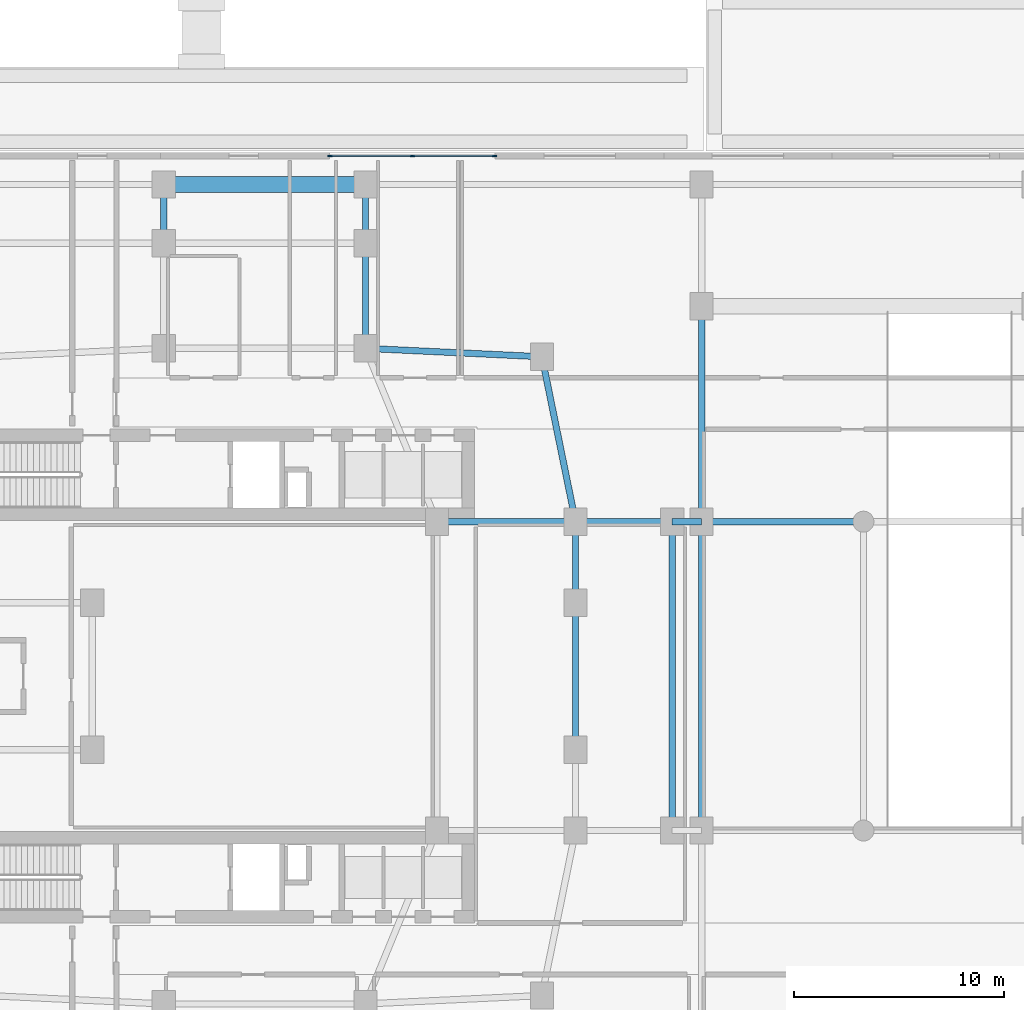
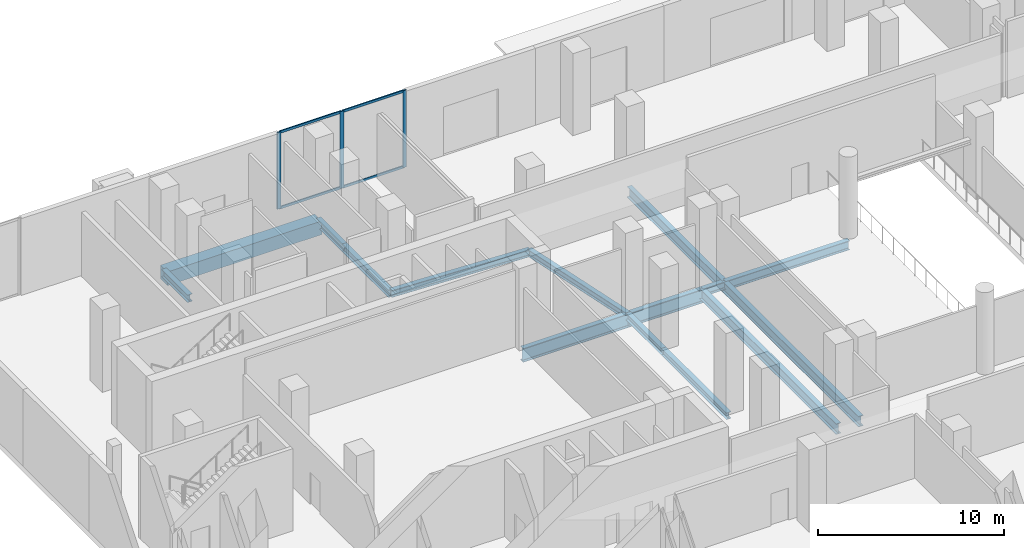
# One storey, part 5 of 24: 15 beams, 7 members, 1 element without a shape of its own.
"""IFC4 building model written with IfcOpenShell, lengths in metres."""

from ifc_helpers import new_model, si_unit, derived_unit, direction, frame, origin, origin_2d, place, context, subcontext, project, spatial, rectangle, i_section, extrude, material, layer, layer_set, material_profile, profile_set, type_object, element, aggregate, save


model = new_model("IFC4")

# Units and contexts
model_context = context("Model", 3, precision=1e-05, world=origin(), true_north=direction((0.0, 1.0)))
body_context = subcontext(model_context, "Body", "Model", "MODEL_VIEW")
ifc_project = project(units=[si_unit("LENGTHUNIT", "METRE"), si_unit("AREAUNIT", "SQUARE_METRE"), si_unit("VOLUMEUNIT", "CUBIC_METRE"), si_unit("PLANEANGLEUNIT", "RADIAN"), si_unit("MASSUNIT", "GRAM", prefix="KILO"), derived_unit("THERMALTRANSMITTANCEUNIT", [(si_unit("POWERUNIT", "WATT"), 1), (si_unit("LENGTHUNIT", "METRE"), -2), (si_unit("THERMODYNAMICTEMPERATUREUNIT", "KELVIN"), -1)])], contexts=[model_context])

# Site, building, storey
site_placement = place(None, origin())
site = spatial("IfcSite", under=ifc_project, at=site_placement, CompositionType="ELEMENT")
building_placement = place(site_placement, origin())
building = spatial("IfcBuilding", under=site, at=building_placement, Name="Kivonza Crest Hotel", CompositionType="ELEMENT")
storey_placement = place(building_placement, origin())
storey = spatial("IfcBuildingStorey", under=building, at=storey_placement, Name="L00", CompositionType="ELEMENT", Elevation=0.0)

# Beams
ifc_material_1 = material(Name="Steel S355", Category="steel")
ifc_material_profile_1 = material_profile(ifc_material_1, i_section(OverallWidth=0.300048828125, OverallDepth=0.449951171875, WebThickness=0.013916015625, FlangeThickness=0.02587890625, FilletRadius=0.027099609375, at=origin_2d()), Name="HEB 450")
ifc_profile_set_1 = profile_set([ifc_material_profile_1], Name="Steel S355")
beam_type_1 = type_object("IfcBeamType", Name="BM-HEB450", PredefinedType="SPANDREL", material=ifc_profile_set_1)
beam_1_placement = place(storey_placement, frame((35.800048828125, 21.5, -0.574951171875), z_axis=(0.0, 1.0, 0.0), x_axis=(-1.0, 0.0, 0.0)))
element("IfcBeam", 1, at=beam_1_placement, inside=storey, type_object=beam_type_1, Name="Tower T1 L00 perimeter spandrel E1-E2", PredefinedType="SPANDREL", context=body_context, shape_type="SweptSolid", body=[
    extrude(i_section(OverallWidth=0.300048828125, OverallDepth=0.449951171875, WebThickness=0.013916015625, FlangeThickness=0.02587890625, FilletRadius=0.027099609375, at=origin_2d()), origin(), (0.0, 0.0, 1.0), 7.0),
])
beam_2_placement = place(storey_placement, frame((35.800048828125, 28.5, -0.574951171875), z_axis=(0.0, 1.0, 0.0), x_axis=(-1.0, 0.0, 0.0)))
element("IfcBeam", 2, at=beam_2_placement, inside=storey, type_object=beam_type_1, Name="Tower T1 L00 perimeter spandrel E2-PNE", PredefinedType="SPANDREL", context=body_context, shape_type="SweptSolid", body=[
    extrude(i_section(OverallWidth=0.300048828125, OverallDepth=0.449951171875, WebThickness=0.013916015625, FlangeThickness=0.02587890625, FilletRadius=0.027099609375, at=origin_2d()), origin(), (0.0, 0.0, 1.0), 3.85009765625),
])
beam_3_placement = place(storey_placement, frame((35.800048828125, 32.35009765625, -0.574951171875), z_axis=(-0.199730733965, 0.979850822273, 0.0), x_axis=(-0.979850822273, -0.199730733965, 0.0)))
element("IfcBeam", 3, at=beam_3_placement, inside=storey, type_object=beam_type_1, Name="Tower T1 L00 perimeter spandrel PNE-NE", PredefinedType="SPANDREL", context=body_context, shape_type="SweptSolid", body=[
    extrude(i_section(OverallWidth=0.300048828125, OverallDepth=0.449951171875, WebThickness=0.013916015625, FlangeThickness=0.02587890625, FilletRadius=0.027099609375, at=origin_2d()), origin(), (0.0, 0.0, 1.0), 8.01123046875),
])
beam_4_placement = place(storey_placement, frame((34.199951171875, 40.199951171875, -0.574951171875), z_axis=(-0.998867283688, 0.047583080799, 0.0), x_axis=(-0.047583080799, -0.998867283688, 0.0)))
element("IfcBeam", 4, at=beam_4_placement, inside=storey, type_object=beam_type_1, Name="Tower T1 L00 perimeter spandrel NE-N2", PredefinedType="SPANDREL", context=body_context, shape_type="SweptSolid", body=[
    extrude(i_section(OverallWidth=0.300048828125, OverallDepth=0.449951171875, WebThickness=0.013916015625, FlangeThickness=0.02587890625, FilletRadius=0.027099609375, at=origin_2d()), origin(), (0.0, 0.0, 1.0), 8.409423828125),
])
ifc_material_profile_2 = material_profile(ifc_material_1, i_section(OverallWidth=0.300048828125, OverallDepth=0.5, WebThickness=0.014404296875, FlangeThickness=0.028076171875, FilletRadius=0.027099609375, at=origin_2d()), Name="HEB 500")
ifc_profile_set_2 = profile_set([ifc_material_profile_2], Name="Steel S355")
beam_type_2 = type_object("IfcBeamType", Name="BM-HEB500", PredefinedType="BEAM", material=ifc_profile_set_2)
beam_5_placement = place(storey_placement, frame((40.39990234375, 32.35009765625, -0.60009765625), z_axis=(1.0, 0.0, 0.0), x_axis=(0.0, 1.0, 0.0)))
element("IfcBeam", 5, at=beam_5_placement, inside=storey, type_object=beam_type_2, Name="L00 podium girder X 32", PredefinedType="BEAM", context=body_context, shape_type="SweptSolid", body=[
    extrude(i_section(OverallWidth=0.300048828125, OverallDepth=0.5, WebThickness=0.014404296875, FlangeThickness=0.028076171875, FilletRadius=0.027099609375, at=origin_2d()), origin(), (0.0, 0.0, 1.0), 1.400146484375),
])
beam_6_placement = place(storey_placement, frame((16.199951171875, 45.60009765625, -0.60009765625), z_axis=(0.0, 1.0, 0.0), x_axis=(-1.0, 0.0, 0.0)))
element("IfcBeam", 6, at=beam_6_placement, inside=storey, type_object=beam_type_2, Name="L00 podium girder Y 60", PredefinedType="BEAM", context=body_context, shape_type="SweptSolid", body=[
    extrude(i_section(OverallWidth=0.300048828125, OverallDepth=0.5, WebThickness=0.014404296875, FlangeThickness=0.028076171875, FilletRadius=0.027099609375, at=origin_2d()), origin(), (0.0, 0.0, 1.0), 2.7998046875),
])
beam_7_placement = place(storey_placement, frame((25.800048828125, 40.60009765625, -0.60009765625), z_axis=(0.0, 1.0, 0.0), x_axis=(-1.0, 0.0, 0.0)))
element("IfcBeam", 7, at=beam_7_placement, inside=storey, type_object=beam_type_2, Name="L00 podium girder Y 63", PredefinedType="BEAM", context=body_context, shape_type="SweptSolid", body=[
    extrude(i_section(OverallWidth=0.300048828125, OverallDepth=0.5, WebThickness=0.014404296875, FlangeThickness=0.028076171875, FilletRadius=0.027099609375, at=origin_2d()), origin(), (0.0, 0.0, 1.0), 5.0),
])
beam_8_placement = place(storey_placement, frame((25.800048828125, 45.60009765625, -0.60009765625), z_axis=(0.0, 1.0, 0.0), x_axis=(-1.0, 0.0, 0.0)))
element("IfcBeam", 8, at=beam_8_placement, inside=storey, type_object=beam_type_2, Name="L00 podium girder Y 64", PredefinedType="BEAM", context=body_context, shape_type="SweptSolid", body=[
    extrude(i_section(OverallWidth=0.300048828125, OverallDepth=0.5, WebThickness=0.014404296875, FlangeThickness=0.028076171875, FilletRadius=0.027099609375, at=origin_2d()), origin(), (0.0, 0.0, 1.0), 2.7998046875),
])
ifc_material_profile_3 = material_profile(ifc_material_1, i_section(OverallWidth=0.300048828125, OverallDepth=0.60009765625, WebThickness=0.015380859375, FlangeThickness=0.030029296875, FilletRadius=0.027099609375, at=origin_2d()), Name="HEB 600")
ifc_profile_set_3 = profile_set([ifc_material_profile_3], Name="Steel S355")
beam_type_3 = type_object("IfcBeamType", Name="BM-HEB600", PredefinedType="BEAM", material=ifc_profile_set_3)
beam_9_placement = place(storey_placement, frame((41.800048828125, 32.35009765625, -0.64990234375), z_axis=(1.0, 0.0, 0.0), x_axis=(0.0, 1.0, 0.0)))
element("IfcBeam", 9, at=beam_9_placement, inside=storey, type_object=beam_type_3, Name="L00 podium girder X 33", PredefinedType="BEAM", context=body_context, shape_type="SweptSolid", body=[
    extrude(i_section(OverallWidth=0.300048828125, OverallDepth=0.60009765625, WebThickness=0.015380859375, FlangeThickness=0.030029296875, FilletRadius=0.027099609375, at=origin_2d()), origin(), (0.0, 0.0, 1.0), 7.699951171875),
])
ifc_material_profile_4 = material_profile(ifc_material_1, i_section(OverallWidth=0.300048828125, OverallDepth=0.699951171875, WebThickness=0.01708984375, FlangeThickness=0.031982421875, FilletRadius=0.027099609375, at=origin_2d()), Name="HEB 700")
ifc_profile_set_4 = profile_set([ifc_material_profile_4], Name="Steel S355")
beam_type_4 = type_object("IfcBeamType", Name="BM-HEB700", PredefinedType="BEAM", material=ifc_profile_set_4)
for number, where, z_axis, x_axis, name in (
    (10, (40.39990234375, 17.64990234375, -0.699951171875), (0.0, 1.0, 0.0), (-1.0, 0.0, 0.0), "L00 podium girder Y 69"),
    (11, (41.800048828125, 17.64990234375, -0.699951171875), (0.0, 1.0, 0.0), (-1.0, 0.0, 0.0), "L00 podium girder Y 72"),
):
    element("IfcBeam", number, at=place(storey_placement, frame(where, z_axis=z_axis, x_axis=x_axis)), inside=storey, type_object=beam_type_4, Name=name, PredefinedType="BEAM", context=body_context, shape_type="SweptSolid", body=[
        extrude(i_section(OverallWidth=0.300048828125, OverallDepth=0.699951171875, WebThickness=0.01708984375, FlangeThickness=0.031982421875, FilletRadius=0.027099609375, at=origin_2d()), origin(), (0.0, 0.0, 1.0), 14.7001953125),
    ])
beam_10_placement = place(storey_placement, frame((41.800048828125, 32.35009765625, -0.699951171875), z_axis=(0.0, 1.0, 0.0), x_axis=(-1.0, 0.0, 0.0)))
element("IfcBeam", 12, at=beam_10_placement, inside=storey, type_object=beam_type_4, Name="L00 podium girder Y 73", PredefinedType="BEAM", context=body_context, shape_type="SweptSolid", body=[
    extrude(i_section(OverallWidth=0.300048828125, OverallDepth=0.699951171875, WebThickness=0.01708984375, FlangeThickness=0.031982421875, FilletRadius=0.027099609375, at=origin_2d()), origin(), (0.0, 0.0, 1.0), 10.25),
])
ifc_material_profile_5 = material_profile(ifc_material_1, i_section(OverallWidth=0.300048828125, OverallDepth=0.89990234375, WebThickness=0.0185546875, FlangeThickness=0.034912109375, FilletRadius=0.030029296875, at=origin_2d()), Name="HEB 900")
ifc_profile_set_5 = profile_set([ifc_material_profile_5], Name="Steel S355")
beam_type_5 = type_object("IfcBeamType", Name="BM-HEB900", PredefinedType="BEAM", material=ifc_profile_set_5)
beam_11_placement = place(storey_placement, frame((29.199951171875, 32.35009765625, -0.800048828125), z_axis=(1.0, 0.0, 0.0), x_axis=(0.0, 1.0, 0.0)))
element("IfcBeam", 13, at=beam_11_placement, inside=storey, type_object=beam_type_5, Name="Tower T1 L00 primary girder TNE-PNE", PredefinedType="BEAM", context=body_context, shape_type="SweptSolid", body=[
    extrude(i_section(OverallWidth=0.300048828125, OverallDepth=0.89990234375, WebThickness=0.0185546875, FlangeThickness=0.034912109375, FilletRadius=0.030029296875, at=origin_2d()), origin(), (0.0, 0.0, 1.0), 6.60009765625),
])
beam_12_placement = place(storey_placement, frame((40.39990234375, 32.35009765625, -0.800048828125), z_axis=(-1.0, 0.0, 0.0), x_axis=(0.0, -1.0, 0.0)))
element("IfcBeam", 14, at=beam_12_placement, inside=storey, type_object=beam_type_5, Name="Tower T1 L00 outer bay girder ZE2", PredefinedType="BEAM", context=body_context, shape_type="SweptSolid", body=[
    extrude(i_section(OverallWidth=0.300048828125, OverallDepth=0.89990234375, WebThickness=0.0185546875, FlangeThickness=0.034912109375, FilletRadius=0.030029296875, at=origin_2d()), origin(), (0.0, 0.0, 1.0), 4.599853515625),
])
ifc_material_2 = material(Name="Concrete C40/50", Category="concrete")
ifc_material_profile_6 = material_profile(ifc_material_2, rectangle(XDim=0.75, YDim=0.89990234375, at=origin_2d()), Name="RC 900x750")
ifc_profile_set_6 = profile_set([ifc_material_profile_6], Name="Concrete C40/50")
beam_type_6 = type_object("IfcBeamType", Name="BM-RCT-900x750", PredefinedType="T_BEAM", material=ifc_profile_set_6)
beam_13_placement = place(storey_placement, frame((16.199951171875, 48.39990234375, -0.800048828125), z_axis=(1.0, 0.0, 0.0), x_axis=(0.0, 1.0, 0.0)))
element("IfcBeam", 15, at=beam_13_placement, inside=storey, type_object=beam_type_6, Name="L00 reinforced concrete T-beam 42", PredefinedType="T_BEAM", context=body_context, shape_type="SweptSolid", body=[
    extrude(rectangle(XDim=0.75, YDim=0.89990234375, at=origin_2d()), origin(), (0.0, 0.0, 1.0), 9.60009765625),
])

# Curtain wall, members
ifc_material_3 = material(Name="Anodised bronze aluminium and low-E double glazing", Category="aluminium")
ifc_layer = layer(ifc_material_3, 0.219970703125)
ifc_layer_set = layer_set([ifc_layer], Name="Anodised bronze aluminium and low-E double glazing")
curtain_wall_type = type_object("IfcCurtainWallType", Name="CW-SYS-1", PredefinedType="NOTDEFINED", material=ifc_layer_set)
curtain_wall_placement = place(storey_placement, origin())
curtain_wall = element("IfcCurtainWall", 16, at=curtain_wall_placement, inside=storey, type_object=curtain_wall_type, Name="L00 unitised curtain wall CW-POD-L00-28", PredefinedType="NOTDEFINED")
ifc_material_4 = material(Name="Anodised bronze aluminium", Category="aluminium")
ifc_material_profile_7 = material_profile(ifc_material_4, rectangle(XDim=0.074951171875, YDim=0.219970703125, at=origin_2d()), Name="CW-M 75x220")
ifc_profile_set_7 = profile_set([ifc_material_profile_7], Name="Anodised bronze aluminium")
member_type_1 = type_object("IfcMemberType", Name="CW-MUL-75x220", PredefinedType="MULLION", material=ifc_profile_set_7)
member_1_placement = place(storey_placement, frame((31.949462890625, 49.760009765625, 0.0), z_axis=(0.0, 0.0, 1.0), x_axis=(0.0, -1.0, 0.0)))
member_1 = element("IfcMember", 17, at=member_1_placement, type_object=member_type_1, Name="CW-1 mullion 1", PredefinedType="MULLION", context=body_context, shape_type="SweptSolid", body=[
    extrude(rectangle(XDim=0.074951171875, YDim=0.219970703125, at=origin_2d()), origin(), (0.0, 0.0, 1.0), 5.050048828125),
])
member_2_placement = place(storey_placement, frame((28.033447265625, 49.760009765625, 0.0), z_axis=(0.0, 0.0, 1.0), x_axis=(0.0, -1.0, 0.0)))
member_2 = element("IfcMember", 18, at=member_2_placement, type_object=member_type_1, Name="CW-1 mullion 2", PredefinedType="MULLION", context=body_context, shape_type="SweptSolid", body=[
    extrude(rectangle(XDim=0.074951171875, YDim=0.219970703125, at=origin_2d()), origin(), (0.0, 0.0, 1.0), 5.050048828125),
])
member_3_placement = place(storey_placement, frame((24.117431640625, 49.760009765625, 0.0), z_axis=(0.0, 0.0, 1.0), x_axis=(0.0, -1.0, 0.0)))
member_3 = element("IfcMember", 19, at=member_3_placement, type_object=member_type_1, Name="CW-1 mullion 3", PredefinedType="MULLION", context=body_context, shape_type="SweptSolid", body=[
    extrude(rectangle(XDim=0.074951171875, YDim=0.219970703125, at=origin_2d()), origin(), (0.0, 0.0, 1.0), 5.050048828125),
])
ifc_material_profile_8 = material_profile(ifc_material_4, rectangle(XDim=0.074951171875, YDim=0.159912109375, at=origin_2d()), Name="CW-T 75x160")
ifc_profile_set_8 = profile_set([ifc_material_profile_8], Name="Anodised bronze aluminium")
member_type_2 = type_object("IfcMemberType", Name="CW-TRN-75x160", PredefinedType="USERDEFINED", material=ifc_profile_set_8)
member_4_placement = place(storey_placement, frame((31.912109375, 49.760009765625, 0.03759765625), z_axis=(-1.0, 0.0, 0.0), x_axis=(0.0, -1.0, 0.0)))
member_4 = element("IfcMember", 20, at=member_4_placement, type_object=member_type_2, Name="CW-1 transom 1.1", ObjectType="TRANSOM", PredefinedType="USERDEFINED", context=body_context, shape_type="SweptSolid", body=[
    extrude(rectangle(XDim=0.074951171875, YDim=0.159912109375, at=origin_2d()), origin(), (0.0, 0.0, 1.0), 3.841064453125),
])
member_5_placement = place(storey_placement, frame((31.912109375, 49.760009765625, 5.012451171875), z_axis=(-1.0, 0.0, 0.0), x_axis=(0.0, -1.0, 0.0)))
member_5 = element("IfcMember", 21, at=member_5_placement, type_object=member_type_2, Name="CW-1 transom 1.2", ObjectType="TRANSOM", PredefinedType="USERDEFINED", context=body_context, shape_type="SweptSolid", body=[
    extrude(rectangle(XDim=0.074951171875, YDim=0.159912109375, at=origin_2d()), origin(), (0.0, 0.0, 1.0), 3.841064453125),
])
member_6_placement = place(storey_placement, frame((27.99609375, 49.760009765625, 0.03759765625), z_axis=(-1.0, 0.0, 0.0), x_axis=(0.0, -1.0, 0.0)))
member_6 = element("IfcMember", 22, at=member_6_placement, type_object=member_type_2, Name="CW-1 transom 2.1", ObjectType="TRANSOM", PredefinedType="USERDEFINED", context=body_context, shape_type="SweptSolid", body=[
    extrude(rectangle(XDim=0.074951171875, YDim=0.159912109375, at=origin_2d()), origin(), (0.0, 0.0, 1.0), 3.841064453125),
])
member_7_placement = place(storey_placement, frame((27.99609375, 49.760009765625, 5.012451171875), z_axis=(-1.0, 0.0, 0.0), x_axis=(0.0, -1.0, 0.0)))
member_7 = element("IfcMember", 23, at=member_7_placement, type_object=member_type_2, Name="CW-1 transom 2.2", ObjectType="TRANSOM", PredefinedType="USERDEFINED", context=body_context, shape_type="SweptSolid", body=[
    extrude(rectangle(XDim=0.074951171875, YDim=0.159912109375, at=origin_2d()), origin(), (0.0, 0.0, 1.0), 3.841064453125),
])
aggregate(curtain_wall, [member_1, member_2, member_3, member_4, member_5, member_6, member_7])

save(model, "model.ifc")
